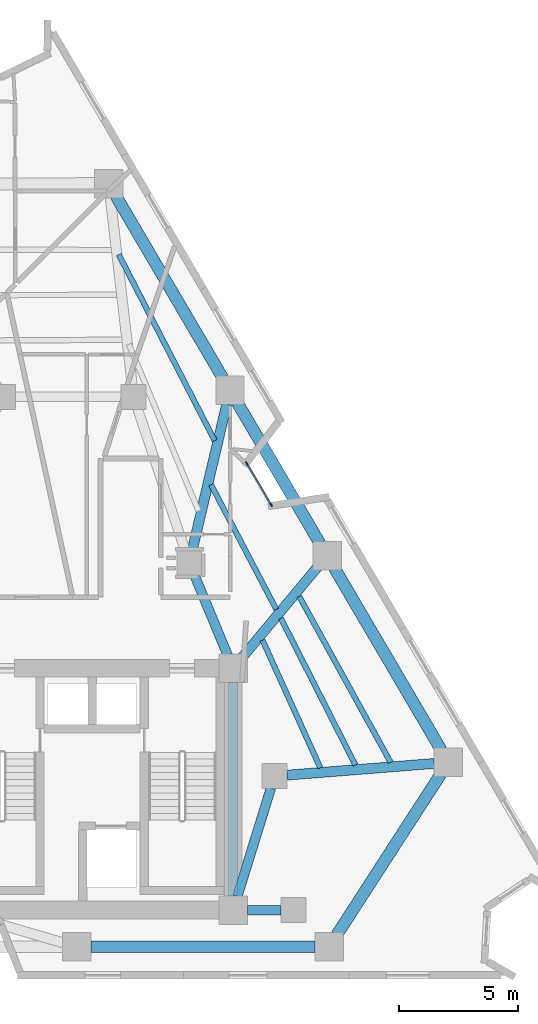
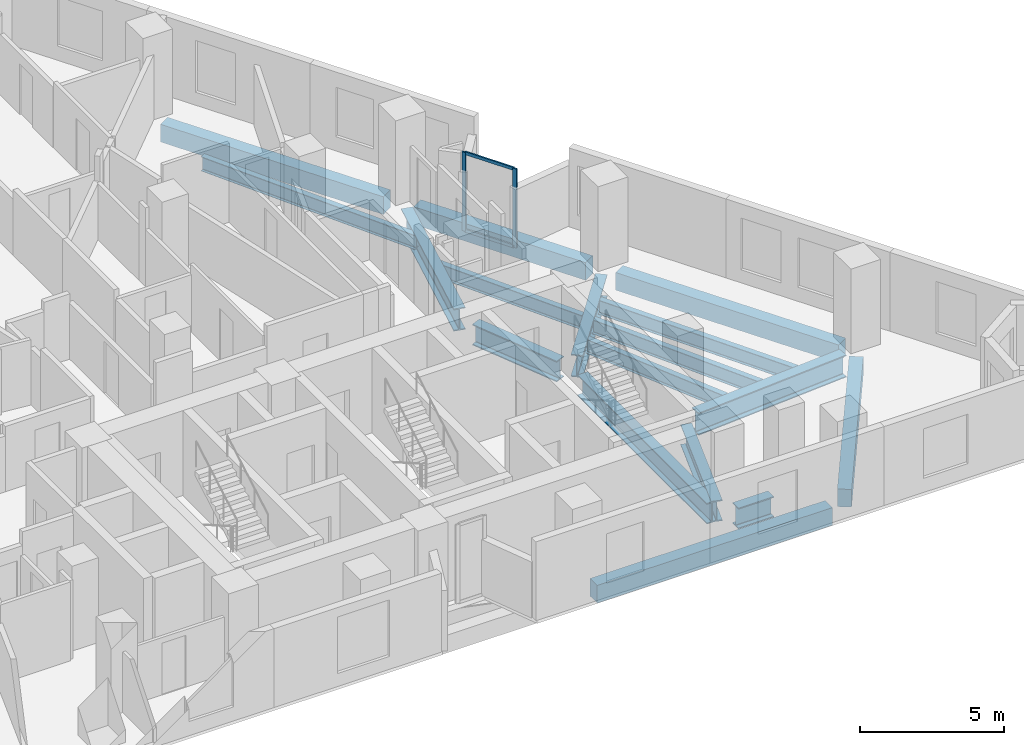
# One storey, part 4 of 12: 17 beams, 4 members, 1 element without a shape of its own.
"""IFC4 building model written with IfcOpenShell, lengths in metres."""

from ifc_helpers import new_model, si_unit, direction, frame, origin, origin_2d, place, context, subcontext, project, spatial, rectangle, i_section, extrude, material, layer, layer_set, material_profile, profile_set, type_object, element, aggregate, save


model = new_model("IFC4")

# Units and contexts
model_context = context("Model", 3, precision=1e-05, world=origin(), true_north=direction((0.0, 1.0)))
body_context = subcontext(model_context, "Body", "Model", "MODEL_VIEW")
ifc_project = project(units=[si_unit("LENGTHUNIT", "METRE"), si_unit("AREAUNIT", "SQUARE_METRE"), si_unit("VOLUMEUNIT", "CUBIC_METRE"), si_unit("PLANEANGLEUNIT", "RADIAN"), si_unit("MASSUNIT", "GRAM", prefix="KILO")], contexts=[model_context])

# Site, building, storey
site_placement = place(None, origin())
site = spatial("IfcSite", under=ifc_project, at=site_placement, CompositionType="ELEMENT")
building_placement = place(site_placement, origin())
building = spatial("IfcBuilding", under=site, at=building_placement, Name="Almagre Mirador Tower", CompositionType="ELEMENT")
storey_placement = place(building_placement, frame((0.0, 0.0, 117.60009765625)))
storey = spatial("IfcBuildingStorey", under=building, at=storey_placement, Name="L29", CompositionType="ELEMENT", Elevation=117.60009765625)

# Beams
ifc_material_1 = material(Name="Steel ASTM A992 Grade 50", Category="steel")
ifc_material_profile_1 = material_profile(ifc_material_1, i_section(OverallWidth=0.22802734375, OverallDepth=0.60791015625, WebThickness=0.01123046875, FlangeThickness=0.017333984375, FilletRadius=0.02001953125, at=origin_2d()), Name="W24X76")
ifc_profile_set_1 = profile_set([ifc_material_profile_1], Name="Steel ASTM A992 Grade 50")
beam_type_1 = type_object("IfcBeamType", Name="BM-JST-W24X76", PredefinedType="JOIST", material=ifc_profile_set_1)
beam_1_placement = place(storey_placement, frame((53.693603515625, 10.783203125, -0.55419921875), z_axis=(-0.482517733723, 0.875886200738, 0.0), x_axis=(-0.875886200738, -0.482517733723, 0.0)))
element("IfcBeam", 1, at=beam_1_placement, inside=storey, type_object=beam_type_1, Name="L29 secondary floor joist PC05-PC06.1", PredefinedType="JOIST", context=body_context, shape_type="SweptSolid", body=[
    extrude(i_section(OverallWidth=0.22802734375, OverallDepth=0.60791015625, WebThickness=0.01123046875, FlangeThickness=0.017333984375, FilletRadius=0.02001953125, at=origin_2d()), origin(), (0.0, 0.0, 1.0), 7.993896484375),
])
beam_2_placement = place(storey_placement, frame((52.208984375, 10.667724609375, -0.55419921875), z_axis=(-0.452785638359, 0.891619406303, 0.0), x_axis=(-0.891619406303, -0.452785638359, 0.0)))
element("IfcBeam", 2, at=beam_2_placement, inside=storey, type_object=beam_type_1, Name="L29 secondary floor joist PC05-PC06.2", PredefinedType="JOIST", context=body_context, shape_type="SweptSolid", body=[
    extrude(i_section(OverallWidth=0.22802734375, OverallDepth=0.60791015625, WebThickness=0.01123046875, FlangeThickness=0.017333984375, FilletRadius=0.02001953125, at=origin_2d()), origin(), (0.0, 0.0, 1.0), 6.947021484375),
])
beam_3_placement = place(storey_placement, frame((50.726806640625, 10.552978515625, -0.55419921875), z_axis=(-0.412539238264, 0.910939831653, 0.0), x_axis=(-0.910939831653, -0.412539238264, 0.0)))
element("IfcBeam", 3, at=beam_3_placement, inside=storey, type_object=beam_type_1, Name="L29 secondary floor joist PC05-PC06.3", PredefinedType="JOIST", context=body_context, shape_type="SweptSolid", body=[
    extrude(i_section(OverallWidth=0.22802734375, OverallDepth=0.60791015625, WebThickness=0.01123046875, FlangeThickness=0.017333984375, FilletRadius=0.02001953125, at=origin_2d()), origin(), (0.0, 0.0, 1.0), 5.911376953125),
])
beam_4_placement = place(storey_placement, frame((48.869384765625, 17.23779296875, -0.55419921875), z_axis=(-0.463750104962, 0.885966049094, 0.0), x_axis=(-0.885966049094, -0.463750104962, 0.0)))
element("IfcBeam", 4, at=beam_4_placement, inside=storey, type_object=beam_type_1, Name="L29 secondary floor joist PC06-PC07.2", PredefinedType="JOIST", context=body_context, shape_type="SweptSolid", body=[
    extrude(i_section(OverallWidth=0.22802734375, OverallDepth=0.60791015625, WebThickness=0.01123046875, FlangeThickness=0.017333984375, FilletRadius=0.02001953125, at=origin_2d()), origin(), (0.0, 0.0, 1.0), 5.930908203125),
])
beam_5_placement = place(storey_placement, frame((46.27392578125, 24.352294921875, -0.55419921875), z_axis=(-0.458369241004, 0.888761857249, 0.0), x_axis=(-0.888761857249, -0.458369241004, 0.0)))
element("IfcBeam", 5, at=beam_5_placement, inside=storey, type_object=beam_type_1, Name="L29 secondary floor joist PC07-PC08.1", PredefinedType="JOIST", context=body_context, shape_type="SweptSolid", body=[
    extrude(i_section(OverallWidth=0.22802734375, OverallDepth=0.60791015625, WebThickness=0.01123046875, FlangeThickness=0.017333984375, FilletRadius=0.02001953125, at=origin_2d()), origin(), (0.0, 0.0, 1.0), 8.840087890625),
])
ifc_material_2 = material(Name="Precast concrete C50/60", Category="concrete")
ifc_material_profile_2 = material_profile(ifc_material_2, rectangle(XDim=0.5, YDim=0.75, at=origin_2d()), Name="RC500X750")
ifc_profile_set_2 = profile_set([ifc_material_profile_2], Name="Precast concrete C50/60")
beam_type_2 = type_object("IfcBeamType", Name="BM-SPN-RC500X750", PredefinedType="SPANDREL", material=ifc_profile_set_2)
beam_6_placement = place(storey_placement, frame((41.055908203125, 3.0, -0.625), z_axis=(1.0, 0.0, 0.0), x_axis=(0.0, 1.0, 0.0)))
element("IfcBeam", 6, at=beam_6_placement, inside=storey, type_object=beam_type_2, Name="L29 perimeter spandrel beam PC03-PC04", PredefinedType="SPANDREL", context=body_context, shape_type="SweptSolid", body=[
    extrude(rectangle(XDim=0.5, YDim=0.75, at=origin_2d()), origin(), (0.0, 0.0, 1.0), 9.440185546875),
])
beam_7_placement = place(storey_placement, frame((51.422119140625, 3.503662109375, -0.625), z_axis=(0.543242499017, 0.839575837707, 0.0), x_axis=(-0.839575837707, 0.543242499017, 0.0)))
element("IfcBeam", 7, at=beam_7_placement, inside=storey, type_object=beam_type_2, Name="L29 perimeter spandrel beam PC04-PC05", PredefinedType="SPANDREL", context=body_context, shape_type="SweptSolid", body=[
    extrude(rectangle(XDim=0.5, YDim=0.75, at=origin_2d()), origin(), (0.0, 0.0, 1.0), 8.071533203125),
])
beam_8_placement = place(storey_placement, frame((55.8291015625, 11.301513671875, -0.625), z_axis=(-0.506318387543, 0.862346618498, 0.0), x_axis=(-0.862346618498, -0.506318387543, 0.0)))
element("IfcBeam", 8, at=beam_8_placement, inside=storey, type_object=beam_type_2, Name="L29 perimeter spandrel beam PC05-PC06", PredefinedType="SPANDREL", context=body_context, shape_type="SweptSolid", body=[
    extrude(rectangle(XDim=0.5, YDim=0.75, at=origin_2d()), origin(), (0.0, 0.0, 1.0), 8.911865234375),
])
beam_9_placement = place(storey_placement, frame((50.709228515625, 20.021484375, -0.625), z_axis=(-0.506343227047, 0.862332033745, 0.0), x_axis=(-0.862332033745, -0.506343227047, 0.0)))
element("IfcBeam", 9, at=beam_9_placement, inside=storey, type_object=beam_type_2, Name="L29 perimeter spandrel beam PC06-PC07", PredefinedType="SPANDREL", context=body_context, shape_type="SweptSolid", body=[
    extrude(rectangle(XDim=0.5, YDim=0.75, at=origin_2d()), origin(), (0.0, 0.0, 1.0), 6.8896484375),
])
beam_10_placement = place(storey_placement, frame((46.61328125, 26.997314453125, -0.625), z_axis=(-0.506326798076, 0.862341680281, 0.0), x_axis=(-0.862341680281, -0.506326798076, 0.0)))
element("IfcBeam", 10, at=beam_10_placement, inside=storey, type_object=beam_type_2, Name="L29 perimeter spandrel beam PC07-PC08", PredefinedType="SPANDREL", context=body_context, shape_type="SweptSolid", body=[
    extrude(rectangle(XDim=0.5, YDim=0.75, at=origin_2d()), origin(), (0.0, 0.0, 1.0), 8.912109375),
])
ifc_material_3 = material(Name="Steel ASTM A992 Grade 50", Category="steel")
ifc_material_profile_3 = material_profile(ifc_material_3, i_section(OverallWidth=0.404052734375, OverallDepth=0.884033203125, WebThickness=0.0244140625, FlangeThickness=0.0439453125, FilletRadius=0.02490234375, at=origin_2d()), Name="W33X291")
ifc_profile_set_3 = profile_set([ifc_material_profile_3], Name="Steel ASTM A992 Grade 50")
beam_type_3 = type_object("IfcBeamType", Name="BM-STL-W33X291", PredefinedType="BEAM", material=ifc_profile_set_3)
beam_11_placement = place(storey_placement, frame((47.050048828125, 5.14990234375, -0.692138671875), z_axis=(0.0, 1.0, 0.0), x_axis=(-1.0, 0.0, 0.0)))
element("IfcBeam", 11, at=beam_11_placement, inside=storey, type_object=beam_type_3, Name="L29 core tie girder CC3-CC6", PredefinedType="BEAM", context=body_context, shape_type="SweptSolid", body=[
    extrude(i_section(OverallWidth=0.404052734375, OverallDepth=0.884033203125, WebThickness=0.0244140625, FlangeThickness=0.0439453125, FilletRadius=0.02490234375, at=origin_2d()), origin(), (0.0, 0.0, 1.0), 9.0),
])
beam_12_placement = place(storey_placement, frame((49.074951171875, 4.550048828125, -0.692138671875), z_axis=(-1.0, 0.0, 0.0), x_axis=(0.0, -1.0, 0.0)))
element("IfcBeam", 12, at=beam_12_placement, inside=storey, type_object=beam_type_3, Name="L29 core tie girder MC2-CC3", PredefinedType="BEAM", context=body_context, shape_type="SweptSolid", body=[
    extrude(i_section(OverallWidth=0.404052734375, OverallDepth=0.884033203125, WebThickness=0.0244140625, FlangeThickness=0.0439453125, FilletRadius=0.02490234375, at=origin_2d()), origin(), (0.0, 0.0, 1.0), 1.425048828125),
])
beam_13_placement = place(storey_placement, frame((48.644775390625, 9.698486328125, -0.692138671875), z_axis=(-0.295879743348, -0.955225197258, 0.0), x_axis=(0.955225197258, -0.295879743348, 0.0)))
element("IfcBeam", 13, at=beam_13_placement, inside=storey, type_object=beam_type_3, Name="L29 core tie girder MC3-CC3", PredefinedType="BEAM", context=body_context, shape_type="SweptSolid", body=[
    extrude(i_section(OverallWidth=0.404052734375, OverallDepth=0.884033203125, WebThickness=0.0244140625, FlangeThickness=0.0439453125, FilletRadius=0.02490234375, at=origin_2d()), origin(), (0.0, 0.0, 1.0), 4.789794921875),
])
beam_14_placement = place(storey_placement, frame((45.401611328125, 18.715087890625, -0.692138671875), z_axis=(0.383845645019, -0.923397271384, 0.0), x_axis=(0.923397271384, 0.383845645019, 0.0)))
element("IfcBeam", 14, at=beam_14_placement, inside=storey, type_object=beam_type_3, Name="L29 core tie girder MC5-CC6", PredefinedType="BEAM", context=body_context, shape_type="SweptSolid", body=[
    extrude(i_section(OverallWidth=0.404052734375, OverallDepth=0.884033203125, WebThickness=0.0244140625, FlangeThickness=0.0439453125, FilletRadius=0.02490234375, at=origin_2d()), origin(), (0.0, 0.0, 1.0), 3.694091796875),
])
ifc_material_4 = material(Name="Steel ASTM A992 Grade 50", Category="steel")
ifc_material_profile_4 = material_profile(ifc_material_4, i_section(OverallWidth=0.423095703125, OverallDepth=0.947998046875, WebThickness=0.02392578125, FlangeThickness=0.042724609375, FilletRadius=0.028076171875, at=origin_2d()), Name="W36X302")
ifc_profile_set_4 = profile_set([ifc_material_profile_4], Name="Steel ASTM A992 Grade 50")
beam_type_4 = type_object("IfcBeamType", Name="BM-STL-W36X302", PredefinedType="BEAM", material=ifc_profile_set_4)
beam_15_placement = place(storey_placement, frame((55.534912109375, 10.736328125, -0.72412109375), z_axis=(-0.996844611006, -0.079377714181, 0.0), x_axis=(0.079377714181, -0.996844611006, 0.0)))
element("IfcBeam", 15, at=beam_15_placement, inside=storey, type_object=beam_type_4, Name="L29 radial floor girder PC05-MC3", PredefinedType="BEAM", context=body_context, shape_type="SweptSolid", body=[
    extrude(i_section(OverallWidth=0.423095703125, OverallDepth=0.947998046875, WebThickness=0.02392578125, FlangeThickness=0.042724609375, FilletRadius=0.028076171875, at=origin_2d()), origin(), (0.0, 0.0, 1.0), 6.2314453125),
])
beam_16_placement = place(storey_placement, frame((50.62890625, 19.043212890625, -0.72412109375), z_axis=(-0.640333592282, -0.768096927865, 0.0), x_axis=(0.768096927865, -0.640333592282, 0.0)))
element("IfcBeam", 16, at=beam_16_placement, inside=storey, type_object=beam_type_4, Name="L29 radial floor girder PC06-CC6", PredefinedType="BEAM", context=body_context, shape_type="SweptSolid", body=[
    extrude(i_section(OverallWidth=0.423095703125, OverallDepth=0.947998046875, WebThickness=0.02392578125, FlangeThickness=0.042724609375, FilletRadius=0.028076171875, at=origin_2d()), origin(), (0.0, 0.0, 1.0), 4.9892578125),
])
beam_17_placement = place(storey_placement, frame((46.779296875, 25.89599609375, -0.72412109375), z_axis=(-0.229551088102, -0.973296613552, 0.0), x_axis=(0.973296613552, -0.229551088102, 0.0)))
element("IfcBeam", 17, at=beam_17_placement, inside=storey, type_object=beam_type_4, Name="L29 radial floor girder PC07-MC5", PredefinedType="BEAM", context=body_context, shape_type="SweptSolid", body=[
    extrude(i_section(OverallWidth=0.423095703125, OverallDepth=0.947998046875, WebThickness=0.02392578125, FlangeThickness=0.042724609375, FilletRadius=0.028076171875, at=origin_2d()), origin(), (0.0, 0.0, 1.0), 6.354736328125),
])

# Curtain wall, members
ifc_material_5 = material(Name="Black anodized aluminium", Category="aluminium")
ifc_layer = layer(ifc_material_5, 0.169921875)
ifc_layer_set = layer_set([ifc_layer], Name="Black anodized aluminium")
curtain_wall_type = type_object("IfcCurtainWallType", Name="CW-CRS-SYS", PredefinedType="NOTDEFINED", material=ifc_layer_set)
curtain_wall_placement = place(storey_placement, origin())
curtain_wall = element("IfcCurtainWall", 18, at=curtain_wall_placement, inside=storey, type_object=curtain_wall_type, Name="L29 vertical crease curtain wall 03", PredefinedType="NOTDEFINED")
ifc_material_6 = material(Name="Black anodized aluminium", Category="aluminium")
ifc_material_profile_5 = material_profile(ifc_material_6, rectangle(XDim=0.06005859375, YDim=0.14990234375, at=origin_2d()), Name="CWM60X150")
ifc_profile_set_5 = profile_set([ifc_material_profile_5], Name="Black anodized aluminium")
member_type_1 = type_object("IfcMemberType", Name="MBR-CWM60X150", PredefinedType="MULLION", material=ifc_profile_set_5)
member_1_placement = place(storey_placement, frame((47.632080078125, 23.38720703125, 0.0), z_axis=(0.0, 0.0, 1.0), x_axis=(0.862474794745, 0.506100018207, 0.0)))
member_1 = element("IfcMember", 19, at=member_1_placement, type_object=member_type_1, Name="CW-4 mullion 1", PredefinedType="MULLION", context=body_context, shape_type="SweptSolid", body=[
    extrude(rectangle(XDim=0.06005859375, YDim=0.14990234375, at=origin_2d()), origin(), (0.0, 0.0, 1.0), 3.349853515625),
])
member_2_placement = place(storey_placement, frame((48.659912109375, 21.635986328125, 0.0), z_axis=(0.0, 0.0, 1.0), x_axis=(0.862474794745, 0.506100018207, 0.0)))
member_2 = element("IfcMember", 20, at=member_2_placement, type_object=member_type_1, Name="CW-4 mullion 2", PredefinedType="MULLION", context=body_context, shape_type="SweptSolid", body=[
    extrude(rectangle(XDim=0.06005859375, YDim=0.14990234375, at=origin_2d()), origin(), (0.0, 0.0, 1.0), 3.349853515625),
])
ifc_material_7 = material(Name="Black anodized aluminium", Category="aluminium")
ifc_material_profile_6 = material_profile(ifc_material_7, rectangle(XDim=0.06005859375, YDim=0.1298828125, at=origin_2d()), Name="CWT60X130")
ifc_profile_set_6 = profile_set([ifc_material_profile_6], Name="Black anodized aluminium")
member_type_2 = type_object("IfcMemberType", Name="MBR-CWT60X130", PredefinedType="USERDEFINED", material=ifc_profile_set_6)
member_3_placement = place(storey_placement, frame((47.6474609375, 23.361328125, 0.02978515625), z_axis=(0.506034276354, -0.862513368682, 0.0), x_axis=(0.862513368682, 0.506034276354, 0.0)))
member_3 = element("IfcMember", 21, at=member_3_placement, type_object=member_type_2, Name="CW-4 transom 1.1", ObjectType="TRANSOM", PredefinedType="USERDEFINED", context=body_context, shape_type="SweptSolid", body=[
    extrude(rectangle(XDim=0.06005859375, YDim=0.1298828125, at=origin_2d()), origin(), (0.0, 0.0, 1.0), 1.970458984375),
])
member_4_placement = place(storey_placement, frame((47.6474609375, 23.361328125, 3.31982421875), z_axis=(0.506034276354, -0.862513368682, 0.0), x_axis=(0.862513368682, 0.506034276354, 0.0)))
member_4 = element("IfcMember", 22, at=member_4_placement, type_object=member_type_2, Name="CW-4 transom 1.2", ObjectType="TRANSOM", PredefinedType="USERDEFINED", context=body_context, shape_type="SweptSolid", body=[
    extrude(rectangle(XDim=0.06005859375, YDim=0.1298828125, at=origin_2d()), origin(), (0.0, 0.0, 1.0), 1.970458984375),
])
aggregate(curtain_wall, [member_1, member_2, member_3, member_4])

save(model, "model.ifc")
